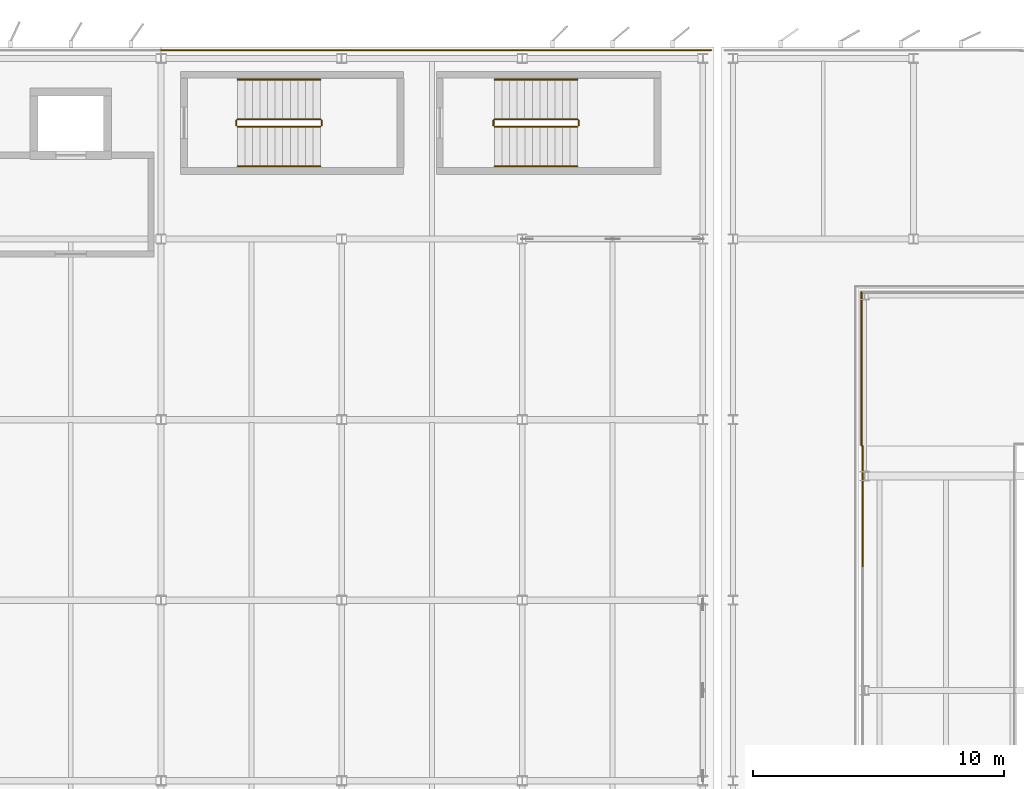
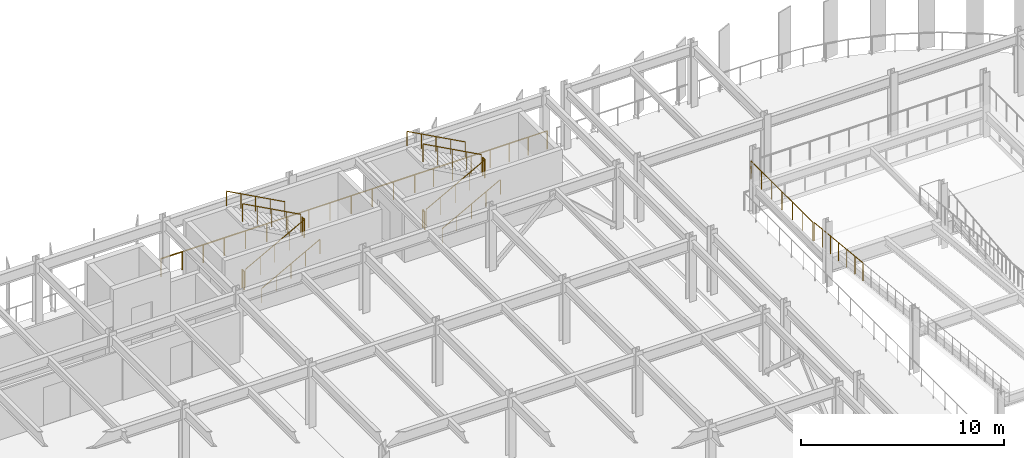
# One storey, part 83 of 93: 17 railings.
"""IFC4 building model written with IfcOpenShell, lengths in metres."""

from ifc_helpers import new_model, si_unit, direction, frame, origin, origin_2d, place, context, subcontext, project, spatial, circle, extrude, material, layer, layer_set, type_object, element, save


model = new_model("IFC4")

# Units and contexts
model_context = context("Model", 3, precision=1e-05, world=origin(), true_north=direction((0.0, 1.0)))
body_context = subcontext(model_context, "Body", "Model", "MODEL_VIEW")
ifc_project = project(units=[si_unit("LENGTHUNIT", "METRE"), si_unit("AREAUNIT", "SQUARE_METRE"), si_unit("VOLUMEUNIT", "CUBIC_METRE"), si_unit("PLANEANGLEUNIT", "RADIAN"), si_unit("MASSUNIT", "GRAM", prefix="KILO")], contexts=[model_context])

# Site, building, storey
site_placement = place(None, origin())
site = spatial("IfcSite", under=ifc_project, at=site_placement, CompositionType="ELEMENT")
building_placement = place(site_placement, origin())
building = spatial("IfcBuilding", under=site, at=building_placement, Name="Vaelcorin Mobility Hub", CompositionType="ELEMENT")
storey_placement = place(building_placement, frame((0.0, 0.0, 5.39990234375)))
storey = spatial("IfcBuildingStorey", under=building, at=storey_placement, Name="L01", CompositionType="ELEMENT", Elevation=5.39990234375)

# Railings
ifc_material_1 = material(Name="Galvanised structural steel ASTM A36", Category="steel")
ifc_layer_1 = layer(ifc_material_1, 0.070068359375)
ifc_layer_set_1 = layer_set([ifc_layer_1], Name="Galvanised structural steel ASTM A36")
railing_type_1 = type_object("IfcRailingType", Name="RL-GUARD-1100", PredefinedType="BALUSTRADE", material=ifc_layer_set_1)
for number, where, name in (
    (1, (100.800048828125, 120.330078125, 0.0), "L01 Perimeter Guard GR-V4-L01-N-10-01"),
    (2, (108.0, 120.330078125, 0.0), "L01 Perimeter Guard GR-V4-L01-N-11-01"),
):
    element("IfcRailing", number, at=place(storey_placement, frame(where)), inside=storey, type_object=railing_type_1, Name=name, PredefinedType="BALUSTRADE", context=body_context, shape_type="SweptSolid", body=[
        extrude(circle(Radius=0.02392578125, at=origin_2d()), frame((0.0, 0.0, 1.076171875), z_axis=(1.0, 0.0, 0.0), x_axis=(0.0, 1.0, 0.0)), (0.0, 0.0, 1.0), 7.199951171875),
        extrude(circle(Radius=0.02099609375, at=origin_2d()), origin(), (0.0, 0.0, 1.0), 1.052001953125),
        extrude(circle(Radius=0.02099609375, at=origin_2d()), frame((1.199951171875, 0.0, 0.0)), (0.0, 0.0, 1.0), 1.052001953125),
        extrude(circle(Radius=0.02099609375, at=origin_2d()), frame((2.39990234375, 0.0, 0.0)), (0.0, 0.0, 1.0), 1.052001953125),
        extrude(circle(Radius=0.02099609375, at=origin_2d()), frame((3.60009765625, 0.0, 0.0)), (0.0, 0.0, 1.0), 1.052001953125),
        extrude(circle(Radius=0.02099609375, at=origin_2d()), frame((4.800048828125, 0.0, 0.0)), (0.0, 0.0, 1.0), 1.052001953125),
        extrude(circle(Radius=0.02099609375, at=origin_2d()), frame((6.0, 0.0, 0.0)), (0.0, 0.0, 1.0), 1.052001953125),
        extrude(circle(Radius=0.02099609375, at=origin_2d()), frame((7.199951171875, 0.0, 0.0)), (0.0, 0.0, 1.0), 1.052001953125),
    ])
railing_1_placement = place(storey_placement, frame((115.199951171875, 120.330078125, 0.0)))
element("IfcRailing", 3, at=railing_1_placement, inside=storey, type_object=railing_type_1, Name="L01 Perimeter Guard GR-V4-L01-N-12-01", PredefinedType="BALUSTRADE", context=body_context, shape_type="SweptSolid", body=[
    extrude(circle(Radius=0.02392578125, at=origin_2d()), frame((0.0, 0.0, 1.076171875), z_axis=(1.0, 0.0, 0.0), x_axis=(0.0, 1.0, 0.0)), (0.0, 0.0, 1.0), 7.530029296875),
    extrude(circle(Radius=0.02099609375, at=origin_2d()), origin(), (0.0, 0.0, 1.0), 1.052001953125),
    extrude(circle(Radius=0.02099609375, at=origin_2d()), frame((1.07568359375, 0.0, 0.0)), (0.0, 0.0, 1.0), 1.052001953125),
    extrude(circle(Radius=0.02099609375, at=origin_2d()), frame((2.1513671875, 0.0, 0.0)), (0.0, 0.0, 1.0), 1.052001953125),
    extrude(circle(Radius=0.02099609375, at=origin_2d()), frame((3.22705078125, 0.0, 0.0)), (0.0, 0.0, 1.0), 1.052001953125),
    extrude(circle(Radius=0.02099609375, at=origin_2d()), frame((4.302978515625, 0.0, 0.0)), (0.0, 0.0, 1.0), 1.052001953125),
    extrude(circle(Radius=0.02099609375, at=origin_2d()), frame((5.378662109375, 0.0, 0.0)), (0.0, 0.0, 1.0), 1.052001953125),
    extrude(circle(Radius=0.02099609375, at=origin_2d()), frame((6.454345703125, 0.0, 0.0)), (0.0, 0.0, 1.0), 1.052001953125),
    extrude(circle(Radius=0.02099609375, at=origin_2d()), frame((7.530029296875, 0.0, 0.0)), (0.0, 0.0, 1.0), 1.052001953125),
])
railing_2_placement = place(storey_placement, frame((128.780029296875, 104.5400390625, 1.9501953125)))
element("IfcRailing", 4, at=railing_2_placement, inside=storey, type_object=railing_type_1, Name="L01 Ramp Guard GR-V2E-L01-FL2-W-01", PredefinedType="BALUSTRADE", context=body_context, shape_type="SweptSolid", body=[
    extrude(circle(Radius=0.02392578125, at=origin_2d()), frame((0.0, 0.0, 1.076171875), z_axis=(0.0, -0.994865207116, 0.101208792455), x_axis=(1.0, 0.0, 0.0)), (0.0, 0.0, 1.0), 4.819580078125),
    extrude(circle(Radius=0.02099609375, at=origin_2d()), origin(), (0.0, 0.0, 1.0), 1.052001953125),
    extrude(circle(Radius=0.02099609375, at=origin_2d()), frame((0.0, -0.799072265625, 0.081298828125)), (0.0, 0.0, 1.0), 1.052001953125),
    extrude(circle(Radius=0.02099609375, at=origin_2d()), frame((0.0, -1.598388671875, 0.16259765625)), (0.0, 0.0, 1.0), 1.052001953125),
    extrude(circle(Radius=0.02099609375, at=origin_2d()), frame((0.0, -2.3974609375, 0.243896484375)), (0.0, 0.0, 1.0), 1.052001953125),
    extrude(circle(Radius=0.02099609375, at=origin_2d()), frame((0.0, -3.196533203125, 0.3251953125)), (0.0, 0.0, 1.0), 1.052001953125),
    extrude(circle(Radius=0.02099609375, at=origin_2d()), frame((0.0, -3.995849609375, 0.406494140625)), (0.0, 0.0, 1.0), 1.052001953125),
    extrude(circle(Radius=0.02099609375, at=origin_2d()), frame((0.0, -4.794921875, 0.48779296875)), (0.0, 0.0, 1.0), 1.052001953125),
])
railing_3_placement = place(storey_placement, frame((128.72998046875, 104.56005859375, 1.9501953125)))
element("IfcRailing", 5, at=railing_3_placement, inside=storey, type_object=railing_type_1, Name="L01 Perimeter Guard GR-V2E-L01-LND-01", PredefinedType="BALUSTRADE", context=body_context, shape_type="SweptSolid", body=[
    extrude(circle(Radius=0.02392578125, at=origin_2d()), frame((0.0, 0.0, 1.076171875), z_axis=(0.0, 1.0, 0.0), x_axis=(-1.0, 0.0, 0.0)), (0.0, 0.0, 1.0), 6.10986328125),
    extrude(circle(Radius=0.02099609375, at=origin_2d()), origin(), (0.0, 0.0, 1.0), 1.052001953125),
    extrude(circle(Radius=0.02099609375, at=origin_2d()), frame((0.0, 1.018310546875, 0.0)), (0.0, 0.0, 1.0), 1.052001953125),
    extrude(circle(Radius=0.02099609375, at=origin_2d()), frame((0.0, 2.03662109375, 0.0)), (0.0, 0.0, 1.0), 1.052001953125),
    extrude(circle(Radius=0.02099609375, at=origin_2d()), frame((0.0, 3.054931640625, 0.0)), (0.0, 0.0, 1.0), 1.052001953125),
    extrude(circle(Radius=0.02099609375, at=origin_2d()), frame((0.0, 4.0732421875, 0.0)), (0.0, 0.0, 1.0), 1.052001953125),
    extrude(circle(Radius=0.02099609375, at=origin_2d()), frame((0.0, 5.091552734375, 0.0)), (0.0, 0.0, 1.0), 1.052001953125),
    extrude(circle(Radius=0.02099609375, at=origin_2d()), frame((0.0, 6.10986328125, 0.0)), (0.0, 0.0, 1.0), 1.052001953125),
])
ifc_material_2 = material(Name="Brushed stainless steel 316L", Category="steel")
ifc_layer_2 = layer(ifc_material_2, 0.048095703125)
ifc_layer_set_2 = layer_set([ifc_layer_2], Name="Brushed stainless steel 316L")
railing_type_2 = type_object("IfcRailingType", Name="RL-STAIR-GRD", PredefinedType="GUARDRAIL", material=ifc_layer_set_2)
railing_4_placement = place(storey_placement, frame((103.85009765625, 117.280029296875, 0.16259765625)))
element("IfcRailing", 6, at=railing_4_placement, inside=storey, type_object=railing_type_2, Name="L01 ST4 stair guard 1", PredefinedType="GUARDRAIL", context=body_context, shape_type="SweptSolid", body=[
    extrude(circle(Radius=0.02392578125, at=origin_2d()), frame((0.0, 0.0, 1.076171875), z_axis=(0.879269262144, 0.0, 0.476325061958), x_axis=(0.0, 1.0, 0.0)), (0.0, 0.0, 1.0), 3.7529296875),
    extrude(circle(Radius=0.02099609375, at=origin_2d()), origin(), (0.0, 0.0, 1.0), 1.052001953125),
    extrude(circle(Radius=0.02099609375, at=origin_2d()), frame((0.824951171875, 0.0, 0.44677734375)), (0.0, 0.0, 1.0), 1.052001953125),
    extrude(circle(Radius=0.02099609375, at=origin_2d()), frame((1.64990234375, 0.0, 0.893798828125)), (0.0, 0.0, 1.0), 1.052001953125),
    extrude(circle(Radius=0.02099609375, at=origin_2d()), frame((2.474853515625, 0.0, 1.3408203125)), (0.0, 0.0, 1.0), 1.052001953125),
    extrude(circle(Radius=0.02099609375, at=origin_2d()), frame((3.2998046875, 0.0, 1.78759765625)), (0.0, 0.0, 1.0), 1.052001953125),
])
railing_5_placement = place(storey_placement, frame((107.199951171875, 117.330078125, 1.9501953125)))
element("IfcRailing", 7, at=railing_5_placement, inside=storey, type_object=railing_type_2, Name="L01 ST4 stair guard 2", PredefinedType="GUARDRAIL", context=body_context, shape_type="SweptSolid", body=[
    extrude(circle(Radius=0.02392578125, at=origin_2d()), frame((0.0, 0.0, 1.076171875), z_axis=(0.0, 1.0, 0.0), x_axis=(-1.0, 0.0, 0.0)), (0.0, 0.0, 1.0), 0.199951171875),
    extrude(circle(Radius=0.02099609375, at=origin_2d()), origin(), (0.0, 0.0, 1.0), 1.052001953125),
    extrude(circle(Radius=0.02099609375, at=origin_2d()), frame((0.0, 0.199951171875, 0.0)), (0.0, 0.0, 1.0), 1.052001953125),
])
railing_6_placement = place(storey_placement, frame((107.14990234375, 117.580078125, 2.112548828125)))
element("IfcRailing", 8, at=railing_6_placement, inside=storey, type_object=railing_type_2, Name="L01 ST4 stair guard 3", PredefinedType="GUARDRAIL", context=body_context, shape_type="SweptSolid", body=[
    extrude(circle(Radius=0.02392578125, at=origin_2d()), frame((0.0, 0.0, 1.076171875), z_axis=(-0.879269262144, 0.0, 0.476325061958), x_axis=(0.0, -1.0, 0.0)), (0.0, 0.0, 1.0), 3.7529296875),
    extrude(circle(Radius=0.02099609375, at=origin_2d()), origin(), (0.0, 0.0, 1.0), 1.052001953125),
    extrude(circle(Radius=0.02099609375, at=origin_2d()), frame((-0.824951171875, 0.0, 0.44677734375)), (0.0, 0.0, 1.0), 1.052001953125),
    extrude(circle(Radius=0.02099609375, at=origin_2d()), frame((-1.64990234375, 0.0, 0.893798828125)), (0.0, 0.0, 1.0), 1.052001953125),
    extrude(circle(Radius=0.02099609375, at=origin_2d()), frame((-2.474853515625, 0.0, 1.3408203125)), (0.0, 0.0, 1.0), 1.052001953125),
    extrude(circle(Radius=0.02099609375, at=origin_2d()), frame((-3.2998046875, 0.0, 1.78759765625)), (0.0, 0.0, 1.0), 1.052001953125),
])
railing_7_placement = place(storey_placement, frame((103.800048828125, 117.330078125, 0.0)))
element("IfcRailing", 9, at=railing_7_placement, inside=storey, type_object=railing_type_2, Name="L01 ST4 stair guard 4", PredefinedType="GUARDRAIL", context=body_context, shape_type="SweptSolid", body=[
    extrude(circle(Radius=0.02392578125, at=origin_2d()), frame((0.0, 0.0, 1.076171875), z_axis=(0.0, 1.0, 0.0), x_axis=(-1.0, 0.0, 0.0)), (0.0, 0.0, 1.0), 0.199951171875),
    extrude(circle(Radius=0.02099609375, at=origin_2d()), origin(), (0.0, 0.0, 1.0), 1.052001953125),
    extrude(circle(Radius=0.02099609375, at=origin_2d()), frame((0.0, 0.199951171875, 0.0)), (0.0, 0.0, 1.0), 1.052001953125),
])
railing_8_placement = place(storey_placement, frame((114.10009765625, 117.280029296875, 0.16259765625)))
element("IfcRailing", 10, at=railing_8_placement, inside=storey, type_object=railing_type_2, Name="L01 ST9 stair guard 1", PredefinedType="GUARDRAIL", context=body_context, shape_type="SweptSolid", body=[
    extrude(circle(Radius=0.02392578125, at=origin_2d()), frame((0.0, 0.0, 1.076171875), z_axis=(0.879269262144, 0.0, 0.476325061958), x_axis=(0.0, 1.0, 0.0)), (0.0, 0.0, 1.0), 3.7529296875),
    extrude(circle(Radius=0.02099609375, at=origin_2d()), origin(), (0.0, 0.0, 1.0), 1.052001953125),
    extrude(circle(Radius=0.02099609375, at=origin_2d()), frame((0.824951171875, 0.0, 0.44677734375)), (0.0, 0.0, 1.0), 1.052001953125),
    extrude(circle(Radius=0.02099609375, at=origin_2d()), frame((1.64990234375, 0.0, 0.893798828125)), (0.0, 0.0, 1.0), 1.052001953125),
    extrude(circle(Radius=0.02099609375, at=origin_2d()), frame((2.474853515625, 0.0, 1.3408203125)), (0.0, 0.0, 1.0), 1.052001953125),
    extrude(circle(Radius=0.02099609375, at=origin_2d()), frame((3.2998046875, 0.0, 1.78759765625)), (0.0, 0.0, 1.0), 1.052001953125),
])
railing_9_placement = place(storey_placement, frame((117.449951171875, 117.330078125, 1.9501953125)))
element("IfcRailing", 11, at=railing_9_placement, inside=storey, type_object=railing_type_2, Name="L01 ST9 stair guard 2", PredefinedType="GUARDRAIL", context=body_context, shape_type="SweptSolid", body=[
    extrude(circle(Radius=0.02392578125, at=origin_2d()), frame((0.0, 0.0, 1.076171875), z_axis=(0.0, 1.0, 0.0), x_axis=(-1.0, 0.0, 0.0)), (0.0, 0.0, 1.0), 0.199951171875),
    extrude(circle(Radius=0.02099609375, at=origin_2d()), origin(), (0.0, 0.0, 1.0), 1.052001953125),
    extrude(circle(Radius=0.02099609375, at=origin_2d()), frame((0.0, 0.199951171875, 0.0)), (0.0, 0.0, 1.0), 1.052001953125),
])
railing_10_placement = place(storey_placement, frame((117.39990234375, 117.580078125, 2.112548828125)))
element("IfcRailing", 12, at=railing_10_placement, inside=storey, type_object=railing_type_2, Name="L01 ST9 stair guard 3", PredefinedType="GUARDRAIL", context=body_context, shape_type="SweptSolid", body=[
    extrude(circle(Radius=0.02392578125, at=origin_2d()), frame((0.0, 0.0, 1.076171875), z_axis=(-0.879269262144, 0.0, 0.476325061958), x_axis=(0.0, -1.0, 0.0)), (0.0, 0.0, 1.0), 3.7529296875),
    extrude(circle(Radius=0.02099609375, at=origin_2d()), origin(), (0.0, 0.0, 1.0), 1.052001953125),
    extrude(circle(Radius=0.02099609375, at=origin_2d()), frame((-0.824951171875, 0.0, 0.44677734375)), (0.0, 0.0, 1.0), 1.052001953125),
    extrude(circle(Radius=0.02099609375, at=origin_2d()), frame((-1.64990234375, 0.0, 0.893798828125)), (0.0, 0.0, 1.0), 1.052001953125),
    extrude(circle(Radius=0.02099609375, at=origin_2d()), frame((-2.474853515625, 0.0, 1.3408203125)), (0.0, 0.0, 1.0), 1.052001953125),
    extrude(circle(Radius=0.02099609375, at=origin_2d()), frame((-3.2998046875, 0.0, 1.78759765625)), (0.0, 0.0, 1.0), 1.052001953125),
])
railing_11_placement = place(storey_placement, frame((114.050048828125, 117.330078125, 0.0)))
element("IfcRailing", 13, at=railing_11_placement, inside=storey, type_object=railing_type_2, Name="L01 ST9 stair guard 4", PredefinedType="GUARDRAIL", context=body_context, shape_type="SweptSolid", body=[
    extrude(circle(Radius=0.02392578125, at=origin_2d()), frame((0.0, 0.0, 1.076171875), z_axis=(0.0, 1.0, 0.0), x_axis=(-1.0, 0.0, 0.0)), (0.0, 0.0, 1.0), 0.199951171875),
    extrude(circle(Radius=0.02099609375, at=origin_2d()), origin(), (0.0, 0.0, 1.0), 1.052001953125),
    extrude(circle(Radius=0.02099609375, at=origin_2d()), frame((0.0, 0.199951171875, 0.0)), (0.0, 0.0, 1.0), 1.052001953125),
])
ifc_layer_3 = layer(ifc_material_2, 0.048095703125)
ifc_layer_set_3 = layer_set([ifc_layer_3], Name="Brushed stainless steel 316L")
railing_type_3 = type_object("IfcRailingType", Name="RL-STAIR-HR", PredefinedType="HANDRAIL", material=ifc_layer_set_3)
railing_12_placement = place(storey_placement, frame((103.85009765625, 115.699951171875, 0.16259765625)))
element("IfcRailing", 14, at=railing_12_placement, inside=storey, type_object=railing_type_3, Name="L01 ST4 stair handrail 1", PredefinedType="HANDRAIL", context=body_context, shape_type="SweptSolid", body=[
    extrude(circle(Radius=0.02392578125, at=origin_2d()), frame((0.0, 0.0, 0.8759765625), z_axis=(0.879269262144, 0.0, 0.476325061958), x_axis=(0.0, 1.0, 0.0)), (0.0, 0.0, 1.0), 3.7529296875),
    extrude(circle(Radius=0.02099609375, at=origin_2d()), origin(), (0.0, 0.0, 1.0), 0.851806640625),
    extrude(circle(Radius=0.02099609375, at=origin_2d()), frame((0.824951171875, 0.0, 0.44677734375)), (0.0, 0.0, 1.0), 0.851806640625),
    extrude(circle(Radius=0.02099609375, at=origin_2d()), frame((1.64990234375, 0.0, 0.893798828125)), (0.0, 0.0, 1.0), 0.851806640625),
    extrude(circle(Radius=0.02099609375, at=origin_2d()), frame((2.474853515625, 0.0, 1.3408203125)), (0.0, 0.0, 1.0), 0.851806640625),
    extrude(circle(Radius=0.02099609375, at=origin_2d()), frame((3.2998046875, 0.0, 1.78759765625)), (0.0, 0.0, 1.0), 0.851806640625),
])
railing_13_placement = place(storey_placement, frame((107.14990234375, 119.159912109375, 2.112548828125)))
element("IfcRailing", 15, at=railing_13_placement, inside=storey, type_object=railing_type_3, Name="L01 ST4 stair handrail 2", PredefinedType="HANDRAIL", context=body_context, shape_type="SweptSolid", body=[
    extrude(circle(Radius=0.02392578125, at=origin_2d()), frame((0.0, 0.0, 0.8759765625), z_axis=(-0.879269262144, 0.0, 0.476325061958), x_axis=(0.0, -1.0, 0.0)), (0.0, 0.0, 1.0), 3.7529296875),
    extrude(circle(Radius=0.02099609375, at=origin_2d()), origin(), (0.0, 0.0, 1.0), 0.851806640625),
    extrude(circle(Radius=0.02099609375, at=origin_2d()), frame((-0.824951171875, 0.0, 0.44677734375)), (0.0, 0.0, 1.0), 0.851806640625),
    extrude(circle(Radius=0.02099609375, at=origin_2d()), frame((-1.64990234375, 0.0, 0.893798828125)), (0.0, 0.0, 1.0), 0.851806640625),
    extrude(circle(Radius=0.02099609375, at=origin_2d()), frame((-2.474853515625, 0.0, 1.3408203125)), (0.0, 0.0, 1.0), 0.851806640625),
    extrude(circle(Radius=0.02099609375, at=origin_2d()), frame((-3.2998046875, 0.0, 1.78759765625)), (0.0, 0.0, 1.0), 0.851806640625),
])
railing_14_placement = place(storey_placement, frame((114.10009765625, 115.699951171875, 0.16259765625)))
element("IfcRailing", 16, at=railing_14_placement, inside=storey, type_object=railing_type_3, Name="L01 ST9 stair handrail 1", PredefinedType="HANDRAIL", context=body_context, shape_type="SweptSolid", body=[
    extrude(circle(Radius=0.02392578125, at=origin_2d()), frame((0.0, 0.0, 0.8759765625), z_axis=(0.879269262144, 0.0, 0.476325061958), x_axis=(0.0, 1.0, 0.0)), (0.0, 0.0, 1.0), 3.7529296875),
    extrude(circle(Radius=0.02099609375, at=origin_2d()), origin(), (0.0, 0.0, 1.0), 0.851806640625),
    extrude(circle(Radius=0.02099609375, at=origin_2d()), frame((0.824951171875, 0.0, 0.44677734375)), (0.0, 0.0, 1.0), 0.851806640625),
    extrude(circle(Radius=0.02099609375, at=origin_2d()), frame((1.64990234375, 0.0, 0.893798828125)), (0.0, 0.0, 1.0), 0.851806640625),
    extrude(circle(Radius=0.02099609375, at=origin_2d()), frame((2.474853515625, 0.0, 1.3408203125)), (0.0, 0.0, 1.0), 0.851806640625),
    extrude(circle(Radius=0.02099609375, at=origin_2d()), frame((3.2998046875, 0.0, 1.78759765625)), (0.0, 0.0, 1.0), 0.851806640625),
])
railing_15_placement = place(storey_placement, frame((117.39990234375, 119.159912109375, 2.112548828125)))
element("IfcRailing", 17, at=railing_15_placement, inside=storey, type_object=railing_type_3, Name="L01 ST9 stair handrail 2", PredefinedType="HANDRAIL", context=body_context, shape_type="SweptSolid", body=[
    extrude(circle(Radius=0.02392578125, at=origin_2d()), frame((0.0, 0.0, 0.8759765625), z_axis=(-0.879269262144, 0.0, 0.476325061958), x_axis=(0.0, -1.0, 0.0)), (0.0, 0.0, 1.0), 3.7529296875),
    extrude(circle(Radius=0.02099609375, at=origin_2d()), origin(), (0.0, 0.0, 1.0), 0.851806640625),
    extrude(circle(Radius=0.02099609375, at=origin_2d()), frame((-0.824951171875, 0.0, 0.44677734375)), (0.0, 0.0, 1.0), 0.851806640625),
    extrude(circle(Radius=0.02099609375, at=origin_2d()), frame((-1.64990234375, 0.0, 0.893798828125)), (0.0, 0.0, 1.0), 0.851806640625),
    extrude(circle(Radius=0.02099609375, at=origin_2d()), frame((-2.474853515625, 0.0, 1.3408203125)), (0.0, 0.0, 1.0), 0.851806640625),
    extrude(circle(Radius=0.02099609375, at=origin_2d()), frame((-3.2998046875, 0.0, 1.78759765625)), (0.0, 0.0, 1.0), 0.851806640625),
])

save(model, "model.ifc")
